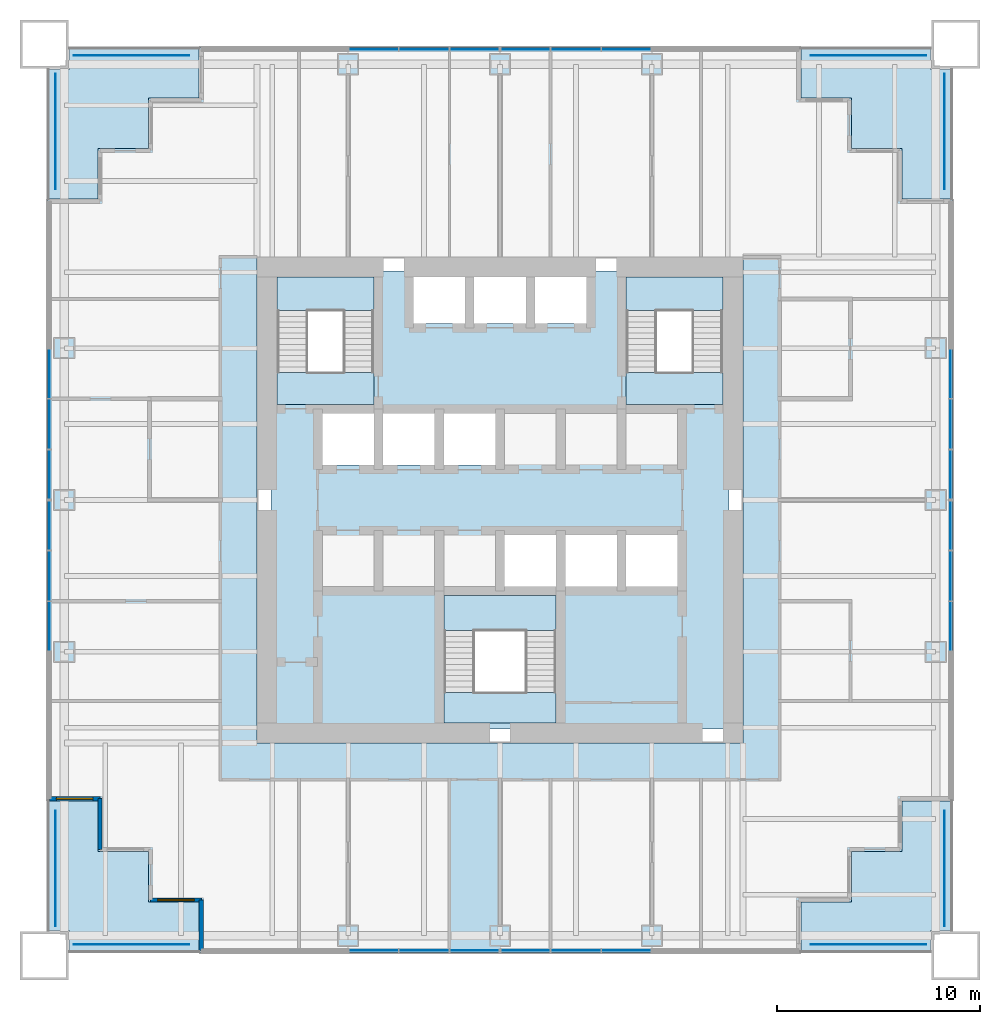
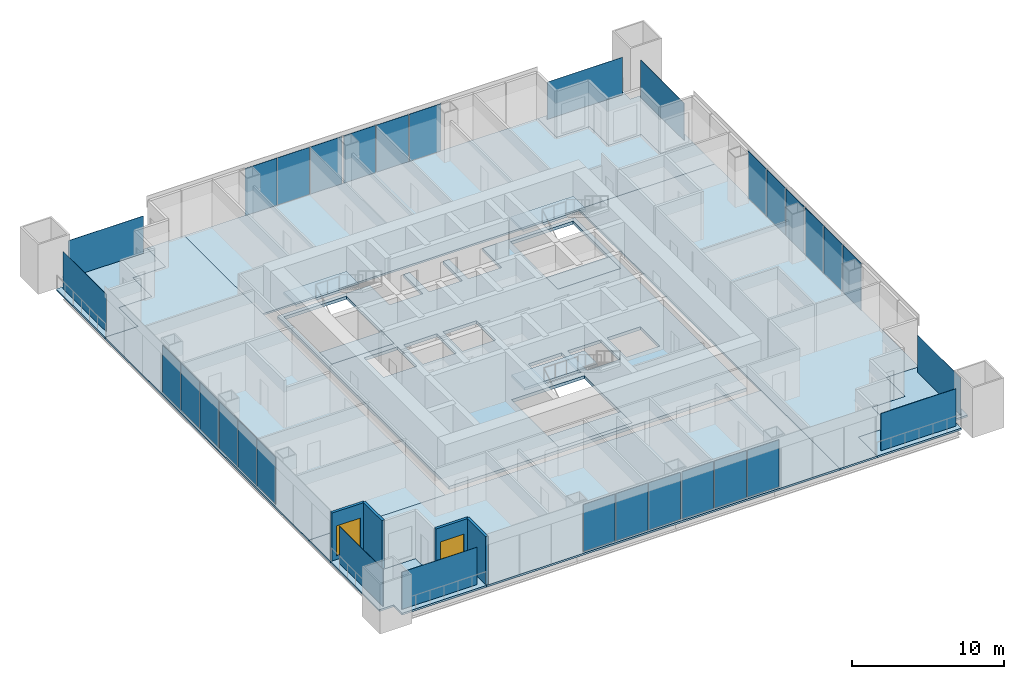
# One storey, part 7 of 13: 32 plates, 15 slabs, 4 walls, 2 windows, 2 openings, 11 elements without a shape of their own.
"""IFC4 building model written with IfcOpenShell, lengths in metres."""

import ifcopenshell
import ifcopenshell.guid

model = None  # the IFC model being written
_history = None  # IfcOwnerHistory: only IFC2X3 demands one
_inside = {}  # id of a spatial element -> (the spatial element, [elements in it])
_under = {}  # id of a project, library or spatial element -> (it, [spatial elements below it])
_declared = {}  # id of a project -> (the project, [libraries it declares])
_typed = {}  # id of a type object -> (the type object, [elements of that type])
_made_of = {}  # id of a material, layer set ... -> (it, [elements and type objects made of it])


def new_model(schema):
    """Start an empty IFC model of exactly this schema.

    Asked for "IFC4X3", IfcOpenShell would pick the latest addendum, in which some entities
    have other attributes; the version numbers below select the first issue.
    IFC2X3 requires an IfcOwnerHistory on every rooted entity: one is made here for all.
    """
    global model, _history
    if schema == "IFC4X3":
        model = ifcopenshell.file(schema_version=(4, 3, 0, 0))
    else:
        model = ifcopenshell.file(schema=schema)
    _inside.clear()
    _under.clear()
    _declared.clear()
    _typed.clear()
    _made_of.clear()
    _history = None
    if model.schema == "IFC2X3":
        org = make("IfcOrganization", Name="unknown")
        user = make(
            "IfcPersonAndOrganization",
            ThePerson=make("IfcPerson", FamilyName="unknown"),
            TheOrganization=org,
        )
        app = make(
            "IfcApplication",
            ApplicationDeveloper=org,
            Version="unknown",
            ApplicationFullName="unknown",
            ApplicationIdentifier="unknown",
        )
        _history = make(
            "IfcOwnerHistory",
            OwningUser=user,
            OwningApplication=app,
            ChangeAction="ADDED",
            CreationDate=0,
        )
    return model


def make(cls, **values):
    """One entity of the class cls with the attributes given. An attribute that is None is left unset."""
    return model.create_entity(
        cls, **{name: value for name, value in values.items() if value is not None}
    )


def rooted(cls, **values):
    """An entity with a GlobalId (a new one), such as an element, a storey or a relation."""
    return make(cls, GlobalId=ifcopenshell.guid.new(), OwnerHistory=_history, **values)


def si_unit(unit_type, name, prefix=None):
    """IfcSIUnit, for example si_unit("LENGTHUNIT", "METRE", prefix="MILLI")."""
    return make("IfcSIUnit", UnitType=unit_type, Prefix=prefix, Name=name)


def assignment(units):
    """IfcUnitAssignment: the units of a project."""
    return None if units is None else make("IfcUnitAssignment", Units=units)


def point(xyz):
    """IfcCartesianPoint."""
    return None if xyz is None else make("IfcCartesianPoint", Coordinates=xyz)


def direction(xyz):
    """IfcDirection."""
    return None if xyz is None else make("IfcDirection", DirectionRatios=xyz)


def frame(location, z_axis=None, x_axis=None):
    """IfcAxis2Placement3D, a coordinate frame: its origin and axes. An axis left out is left unset."""
    return make(
        "IfcAxis2Placement3D",
        Location=point(location),
        Axis=direction(z_axis),
        RefDirection=direction(x_axis),
    )


def frame_2d(location, x_axis=None):
    """IfcAxis2Placement2D, a coordinate frame in the plane: its origin and x axis."""
    return make(
        "IfcAxis2Placement2D", Location=point(location), RefDirection=direction(x_axis)
    )


def origin():
    """The frame at (0, 0, 0) with its axes left unset."""
    return frame((0.0, 0.0, 0.0))


def origin_2d():
    """The frame at (0, 0) in the plane with its x axis left unset."""
    return frame_2d((0.0, 0.0))


def place(relative_to, where):
    """IfcLocalPlacement: puts the frame where relative to a parent placement (None: the world)."""
    return make(
        "IfcLocalPlacement", PlacementRelTo=relative_to, RelativePlacement=where
    )


def context(
    kind, dimensions, precision=None, world=None, true_north=None, identifier=None
):
    """IfcGeometricRepresentationContext, for example the 3D "Model" context."""
    return make(
        "IfcGeometricRepresentationContext",
        ContextIdentifier=identifier,
        ContextType=kind,
        CoordinateSpaceDimension=dimensions,
        Precision=precision,
        WorldCoordinateSystem=world,
        TrueNorth=true_north,
    )


def subcontext(parent, identifier, kind, view, scale=None):
    """IfcGeometricRepresentationSubContext, for example "Body" below "Model"."""
    return make(
        "IfcGeometricRepresentationSubContext",
        ContextIdentifier=identifier,
        ContextType=kind,
        ParentContext=parent,
        TargetScale=scale,
        TargetView=view,
    )


def project(units=None, contexts=None):
    """IfcProject with its units and contexts."""
    return rooted(
        "IfcProject",
        Name="project",
        RepresentationContexts=contexts,
        UnitsInContext=assignment(units),
    )


def spatial(cls, under=None, at=None, **own):
    """A site, building, storey or space (cls), placed at a placement, below another one or the project."""
    s = rooted(cls, ObjectPlacement=at, **own)
    if under is not None:
        _under.setdefault(under.id(), (under, []))[1].append(s)
    return s


def polyline(points):
    """IfcPolyline through the points."""
    return make("IfcPolyline", Points=[point(p) for p in points])


def profile(cls, at=None, kind="AREA", **sizes):
    """A parametric profile (cls). Its sizes go by their IFC names, for example OverallWidth=200.0."""
    return make(cls, ProfileType=kind, Position=at, **sizes)


def rectangle(**sizes):
    """IfcRectangleProfileDef."""
    return profile("IfcRectangleProfileDef", **sizes)


def outline(outer, holes=None, kind="AREA"):
    """IfcArbitraryClosedProfileDef: a profile drawn as a closed curve; with holes, ...WithVoids."""
    if holes is None:
        return make("IfcArbitraryClosedProfileDef", ProfileType=kind, OuterCurve=outer)
    return make(
        "IfcArbitraryProfileDefWithVoids",
        ProfileType=kind,
        OuterCurve=outer,
        InnerCurves=holes,
    )


def extrude(swept, where, along, depth):
    """IfcExtrudedAreaSolid: the profile swept, set in the frame where, extruded along a direction by depth."""
    return make(
        "IfcExtrudedAreaSolid",
        SweptArea=swept,
        Position=where,
        ExtrudedDirection=direction(along),
        Depth=depth,
    )


def shape(context_of_items, identifier, shape_type, items):
    """IfcShapeRepresentation: the items that make up one representation, for example the "Body"."""
    return make(
        "IfcShapeRepresentation",
        ContextOfItems=context_of_items,
        RepresentationIdentifier=identifier,
        RepresentationType=shape_type,
        Items=items,
    )


def material(Name=None, Category=None):
    """IfcMaterial."""
    return make("IfcMaterial", Name=Name, Category=Category)


def layer(
    of_material, thickness, ventilated=None, Name=None, Category=None, Priority=None
):
    """IfcMaterialLayer: one layer of a wall or slab, of a material (None: an air gap)."""
    return make(
        "IfcMaterialLayer",
        Material=of_material,
        LayerThickness=thickness,
        IsVentilated=ventilated,
        Name=Name,
        Category=Category,
        Priority=Priority,
    )


def layer_set(layers, Name=None):
    """IfcMaterialLayerSet."""
    return make("IfcMaterialLayerSet", MaterialLayers=layers, LayerSetName=Name)


def made_of(thing, what):
    """Note that an element or type object is made of a material, layer set ...; save() writes the relation."""
    if what is not None:
        _made_of.setdefault(what.id(), (what, []))[1].append(thing)
    return thing


def type_object(cls, material=None, **own):
    """A type object (cls), such as IfcWallType, which elements share."""
    return made_of(rooted(cls, **own), material)


def element(
    cls,
    number,
    at=None,
    inside=None,
    cuts=None,
    type_object=None,
    material=None,
    context=None,
    identifier="Body",
    shape_type=None,
    held_by="IfcProductDefinitionShape",
    body=None,
    shapes=None,
    **own,
):
    """One element of the class cls, such as IfcWall. Its Tag is "e" and its number.

    at: its placement. inside: the storey or other place that contains it. cuts: it is an
    opening in that element (IfcRelVoidsElement). A single representation is given by context,
    identifier, shape_type and body (its items); several are given by shapes. held_by: the class
    of the entity that holds the representations. save() writes the other relations.
    """
    e = rooted(cls, Tag="e%d" % number, ObjectPlacement=at, **own)
    if body is not None:
        shapes = [shape(context, identifier, shape_type, body)]
    if shapes is not None:
        e.Representation = make(held_by, Representations=shapes)
    if inside is not None:
        _inside.setdefault(inside.id(), (inside, []))[1].append(e)
    if cuts is not None:
        rooted(
            "IfcRelVoidsElement", RelatingBuildingElement=cuts, RelatedOpeningElement=e
        )
    if type_object is not None:
        _typed.setdefault(type_object.id(), (type_object, []))[1].append(e)
    return made_of(e, material)


def fill(opening, filler):
    """IfcRelFillsElement: the door or window that sits in an opening."""
    return rooted(
        "IfcRelFillsElement",
        RelatingOpeningElement=opening,
        RelatedBuildingElement=filler,
    )


def aggregate(whole, parts):
    """IfcRelAggregates: a whole, such as a stair, and the parts it consists of."""
    return rooted("IfcRelAggregates", RelatingObject=whole, RelatedObjects=parts)


def save(model, path):
    """Write the relations noted so far, then the file.

    IfcRelAggregates (storeys below a building ...), IfcRelContainedInSpatialStructure (elements
    in a storey), IfcRelDefinesByType, IfcRelAssociatesMaterial and IfcRelDeclares: one each for
    every whole, place, type object, material and project.
    """
    for whole, parts in _under.values():
        aggregate(whole, parts)
    for where, things in _inside.values():
        rooted(
            "IfcRelContainedInSpatialStructure",
            RelatedElements=things,
            RelatingStructure=where,
        )
    for kind, things in _typed.values():
        rooted("IfcRelDefinesByType", RelatedObjects=things, RelatingType=kind)
    for what, things in _made_of.values():
        rooted("IfcRelAssociatesMaterial", RelatedObjects=things, RelatingMaterial=what)
    for by, libraries in _declared.values():
        rooted("IfcRelDeclares", RelatingContext=by, RelatedDefinitions=libraries)
    model.write(path)


model = new_model("IFC4")

# Units and contexts
model_context = context("Model", 3, precision=1e-05, world=origin(), true_north=direction((0.0, 1.0)))
body_context = subcontext(model_context, "Body", "Model", "MODEL_VIEW")
ifc_project = project(units=[si_unit("LENGTHUNIT", "METRE"), si_unit("AREAUNIT", "SQUARE_METRE"), si_unit("VOLUMEUNIT", "CUBIC_METRE"), si_unit("PLANEANGLEUNIT", "RADIAN"), si_unit("MASSUNIT", "GRAM", prefix="KILO")], contexts=[model_context])

# Site, building, storey
site_placement = place(None, origin())
site = spatial("IfcSite", under=ifc_project, at=site_placement, CompositionType="ELEMENT")
building_placement = place(site_placement, origin())
building = spatial("IfcBuilding", under=site, at=building_placement, Name="Tarangal Relay Tower", CompositionType="ELEMENT")
storey_placement = place(building_placement, frame((0.0, 0.0, 185.89990234375)))
storey = spatial("IfcBuildingStorey", under=building, at=storey_placement, Name="L38", CompositionType="ELEMENT", Elevation=185.89990234375)

# Slabs
ifc_material_1 = material(Name="Concrete fc' 35 MPa", Category="concrete")
ifc_layer_1 = layer(ifc_material_1, 0.25)
ifc_layer_set_1 = layer_set([ifc_layer_1], Name="Core floor slab 250")
slab_type_1 = type_object("IfcSlabType", Name="Core floor slab 250", PredefinedType="FLOOR", material=ifc_layer_set_1)
slab_1_placement = place(storey_placement, frame((0.0, 0.0, -0.25)))
element("IfcSlab", 1, at=slab_1_placement, inside=storey, type_object=slab_type_1, Name="Core floor slab L38", PredefinedType="FLOOR", context=body_context, shape_type="SweptSolid", body=[
    extrude(outline(polyline([(11.300048828125, 11.300048828125), (11.300048828125, -11.300048828125), (-11.300048828125, -11.300048828125), (-11.300048828125, 11.300048828125), (-4.27490234375, 11.300048828125), (-4.27490234375, 8.72509765625), (-1.72509765625, 8.72509765625), (-1.72509765625, 11.300048828125), (-1.27490234375, 11.300048828125), (-1.27490234375, 8.72509765625), (1.27490234375, 8.72509765625), (1.27490234375, 11.300048828125), (1.72509765625, 11.300048828125), (1.72509765625, 8.72509765625), (4.27490234375, 8.72509765625), (4.27490234375, 11.300048828125), (11.300048828125, 11.300048828125)]), holes=[polyline([(-6.22509765625, 4.27490234375), (-8.77490234375, 4.27490234375), (-8.77490234375, 1.72509765625), (-6.22509765625, 1.72509765625), (-6.22509765625, 4.27490234375)]), polyline([(-3.22509765625, 1.72509765625), (-3.22509765625, 4.27490234375), (-5.77490234375, 4.27490234375), (-5.77490234375, 1.72509765625), (-3.22509765625, 1.72509765625)]), polyline([(-0.22509765625, 1.72509765625), (-0.22509765625, 4.27490234375), (-2.77490234375, 4.27490234375), (-2.77490234375, 1.72509765625), (-0.22509765625, 1.72509765625)]), polyline([(-6.22509765625, 11.0), (-11.0, 11.0), (-11.0, 4.72509765625), (-6.22509765625, 4.72509765625), (-6.22509765625, 11.0)]), polyline([(2.77490234375, -4.72509765625), (-2.77490234375, -4.72509765625), (-2.77490234375, -11.0), (2.77490234375, -11.0), (2.77490234375, -4.72509765625)]), polyline([(2.77490234375, -4.27490234375), (2.77490234375, -1.72509765625), (0.22509765625, -1.72509765625), (0.22509765625, -4.27490234375), (2.77490234375, -4.27490234375)]), polyline([(5.77490234375, -4.27490234375), (5.77490234375, -1.72509765625), (3.22509765625, -1.72509765625), (3.22509765625, -4.27490234375), (5.77490234375, -4.27490234375)]), polyline([(8.77490234375, -1.72509765625), (6.22509765625, -1.72509765625), (6.22509765625, -4.27490234375), (8.77490234375, -4.27490234375), (8.77490234375, -1.72509765625)]), polyline([(11.0, 4.72509765625), (11.0, 11.0), (6.22509765625, 11.0), (6.22509765625, 4.72509765625), (11.0, 4.72509765625)])]), origin(), (0.0, 0.0, 1.0), 0.25),
])
ifc_layer_2 = layer(ifc_material_1, 0.14990234375)
ifc_layer_set_2 = layer_set([ifc_layer_2], Name="Floor slab 150")
slab_type_2 = type_object("IfcSlabType", Name="Floor slab 150", PredefinedType="FLOOR", material=ifc_layer_set_2)
slab_2_placement = place(storey_placement, frame((0.0, 0.0, -0.14990234375)))
element("IfcSlab", 2, at=slab_2_placement, inside=storey, type_object=slab_type_2, Name="Floor slab FS3 L38 north bay", PredefinedType="FLOOR", context=body_context, shape_type="SweptSolid", body=[
    extrude(outline(polyline([(14.85009765625, 22.35009765625), (14.85009765625, 19.85009765625), (17.35009765625, 19.85009765625), (17.35009765625, 17.35009765625), (19.85009765625, 17.35009765625), (19.85009765625, 14.85009765625), (22.35009765625, 14.85009765625), (22.35009765625, 12.0), (-12.0, 12.0), (-12.0, 22.35009765625), (14.85009765625, 22.35009765625)])), origin(), (0.0, 0.0, 1.0), 0.14990234375),
])
slab_3_placement = place(storey_placement, frame((0.0, 0.0, -0.14990234375)))
element("IfcSlab", 3, at=slab_3_placement, inside=storey, type_object=slab_type_2, Name="Floor slab FS3 L38 east bay", PredefinedType="FLOOR", context=body_context, shape_type="SweptSolid", body=[
    extrude(outline(polyline([(22.35009765625, -14.85009765625), (19.85009765625, -14.85009765625), (19.85009765625, -17.35009765625), (17.35009765625, -17.35009765625), (17.35009765625, -19.85009765625), (14.85009765625, -19.85009765625), (14.85009765625, -22.35009765625), (12.0, -22.35009765625), (12.0, 12.0), (22.35009765625, 12.0), (22.35009765625, -14.85009765625)])), origin(), (0.0, 0.0, 1.0), 0.14990234375),
])
slab_4_placement = place(storey_placement, frame((0.0, 0.0, -0.14990234375)))
element("IfcSlab", 4, at=slab_4_placement, inside=storey, type_object=slab_type_2, Name="Floor slab FS3 L38 south bay", PredefinedType="FLOOR", context=body_context, shape_type="SweptSolid", body=[
    extrude(outline(polyline([(-14.85009765625, -22.35009765625), (-14.85009765625, -19.85009765625), (-17.35009765625, -19.85009765625), (-17.35009765625, -17.35009765625), (-19.85009765625, -17.35009765625), (-19.85009765625, -14.85009765625), (-22.35009765625, -14.85009765625), (-22.35009765625, -12.0), (12.0, -12.0), (12.0, -22.35009765625), (-14.85009765625, -22.35009765625)])), origin(), (0.0, 0.0, 1.0), 0.14990234375),
])
slab_5_placement = place(storey_placement, frame((0.0, 0.0, -0.14990234375)))
element("IfcSlab", 5, at=slab_5_placement, inside=storey, type_object=slab_type_2, Name="Floor slab FS3 L38 west bay", PredefinedType="FLOOR", context=body_context, shape_type="SweptSolid", body=[
    extrude(outline(polyline([(-12.0, 22.35009765625), (-12.0, -12.0), (-22.35009765625, -12.0), (-22.35009765625, 14.85009765625), (-19.85009765625, 14.85009765625), (-19.85009765625, 17.35009765625), (-17.35009765625, 17.35009765625), (-17.35009765625, 19.85009765625), (-14.85009765625, 19.85009765625), (-14.85009765625, 22.35009765625), (-12.0, 22.35009765625)])), origin(), (0.0, 0.0, 1.0), 0.14990234375),
])

# Curtain wall, plates
ifc_material_2 = material(Name="Unitised curtain wall, dark glass and black aluminium", Category="aluminium")
curtain_wall_type = type_object("IfcCurtainWallType", Name="Curtain wall CW-A", PredefinedType="USERDEFINED", material=ifc_material_2)
curtain_wall_1_placement = place(storey_placement, origin())
curtain_wall_1 = element("IfcCurtainWall", 6, at=curtain_wall_1_placement, inside=storey, type_object=curtain_wall_type, Name="Curtain wall CW-A N facade L38", ObjectType="UNITISED CURTAIN WALL", PredefinedType="USERDEFINED")
ifc_material_3 = material(Name="Dark tinted insulated glass unit", Category="glass")
ifc_layer_3 = layer(ifc_material_3, 0.031982421875)
ifc_layer_set_3 = layer_set([ifc_layer_3], Name="Glazed panel CW-A 32")
plate_type_1 = type_object("IfcPlateType", Name="Glazed panel CW-A 32", PredefinedType="CURTAIN_PANEL", material=ifc_layer_set_3)
plate_1_placement = place(storey_placement, frame((-6.233642578125, 22.25, 0.06494140625), z_axis=(0.0, 0.0, 1.0), x_axis=(1.0, 0.0, 0.0)))
plate_1 = element("IfcPlate", 7, at=plate_1_placement, type_object=plate_type_1, Name="CW-A panel 1.1", PredefinedType="CURTAIN_PANEL", context=body_context, shape_type="SweptSolid", body=[
    extrude(rectangle(XDim=2.402587890625, YDim=0.031982421875, at=origin_2d()), origin(), (0.0, 0.0, 1.0), 3.784912109375),
])
plate_2_placement = place(storey_placement, frame((-3.75, 22.25, 0.06494140625), z_axis=(0.0, 0.0, 1.0), x_axis=(1.0, 0.0, 0.0)))
plate_2 = element("IfcPlate", 8, at=plate_2_placement, type_object=plate_type_1, Name="CW-A panel 2.1", PredefinedType="CURTAIN_PANEL", context=body_context, shape_type="SweptSolid", body=[
    extrude(rectangle(XDim=2.43505859375, YDim=0.031982421875, at=origin_2d()), origin(), (0.0, 0.0, 1.0), 3.784912109375),
])
plate_3_placement = place(storey_placement, frame((-1.266357421875, 22.25, 0.06494140625), z_axis=(0.0, 0.0, 1.0), x_axis=(1.0, 0.0, 0.0)))
plate_3 = element("IfcPlate", 9, at=plate_3_placement, type_object=plate_type_1, Name="CW-A panel 3.1", PredefinedType="CURTAIN_PANEL", context=body_context, shape_type="SweptSolid", body=[
    extrude(rectangle(XDim=2.402587890625, YDim=0.031982421875, at=origin_2d()), origin(), (0.0, 0.0, 1.0), 3.784912109375),
])
aggregate(curtain_wall_1, [plate_1, plate_2, plate_3])

curtain_wall_2_placement = place(storey_placement, origin())
curtain_wall_2 = element("IfcCurtainWall", 10, at=curtain_wall_2_placement, inside=storey, type_object=curtain_wall_type, Name="Curtain wall CW-A N facade L38", ObjectType="UNITISED CURTAIN WALL", PredefinedType="USERDEFINED")
plate_4_placement = place(storey_placement, frame((1.266357421875, 22.25, 0.06494140625), z_axis=(0.0, 0.0, 1.0), x_axis=(1.0, 0.0, 0.0)))
plate_4 = element("IfcPlate", 11, at=plate_4_placement, type_object=plate_type_1, Name="CW-A panel 1.1", PredefinedType="CURTAIN_PANEL", context=body_context, shape_type="SweptSolid", body=[
    extrude(rectangle(XDim=2.402587890625, YDim=0.031982421875, at=origin_2d()), origin(), (0.0, 0.0, 1.0), 3.784912109375),
])
plate_5_placement = place(storey_placement, frame((3.75, 22.25, 0.06494140625), z_axis=(0.0, 0.0, 1.0), x_axis=(1.0, 0.0, 0.0)))
plate_5 = element("IfcPlate", 12, at=plate_5_placement, type_object=plate_type_1, Name="CW-A panel 2.1", PredefinedType="CURTAIN_PANEL", context=body_context, shape_type="SweptSolid", body=[
    extrude(rectangle(XDim=2.43505859375, YDim=0.031982421875, at=origin_2d()), origin(), (0.0, 0.0, 1.0), 3.784912109375),
])
plate_6_placement = place(storey_placement, frame((6.233642578125, 22.25, 0.06494140625), z_axis=(0.0, 0.0, 1.0), x_axis=(1.0, 0.0, 0.0)))
plate_6 = element("IfcPlate", 13, at=plate_6_placement, type_object=plate_type_1, Name="CW-A panel 3.1", PredefinedType="CURTAIN_PANEL", context=body_context, shape_type="SweptSolid", body=[
    extrude(rectangle(XDim=2.402587890625, YDim=0.031982421875, at=origin_2d()), origin(), (0.0, 0.0, 1.0), 3.784912109375),
])
aggregate(curtain_wall_2, [plate_4, plate_5, plate_6])

curtain_wall_3_placement = place(storey_placement, origin())
curtain_wall_3 = element("IfcCurtainWall", 14, at=curtain_wall_3_placement, inside=storey, type_object=curtain_wall_type, Name="Curtain wall CW-A E facade L38", ObjectType="UNITISED CURTAIN WALL", PredefinedType="USERDEFINED")
plate_7_placement = place(storey_placement, frame((22.25, 6.233642578125, 0.06494140625), z_axis=(0.0, 0.0, 1.0), x_axis=(0.0, -1.0, 0.0)))
plate_7 = element("IfcPlate", 15, at=plate_7_placement, type_object=plate_type_1, Name="CW-A panel 1.1", PredefinedType="CURTAIN_PANEL", context=body_context, shape_type="SweptSolid", body=[
    extrude(rectangle(XDim=2.402587890625, YDim=0.031982421875, at=origin_2d()), origin(), (0.0, 0.0, 1.0), 3.784912109375),
])
plate_8_placement = place(storey_placement, frame((22.25, 3.75, 0.06494140625), z_axis=(0.0, 0.0, 1.0), x_axis=(0.0, -1.0, 0.0)))
plate_8 = element("IfcPlate", 16, at=plate_8_placement, type_object=plate_type_1, Name="CW-A panel 2.1", PredefinedType="CURTAIN_PANEL", context=body_context, shape_type="SweptSolid", body=[
    extrude(rectangle(XDim=2.43505859375, YDim=0.031982421875, at=origin_2d()), origin(), (0.0, 0.0, 1.0), 3.784912109375),
])
plate_9_placement = place(storey_placement, frame((22.25, 1.266357421875, 0.06494140625), z_axis=(0.0, 0.0, 1.0), x_axis=(0.0, -1.0, 0.0)))
plate_9 = element("IfcPlate", 17, at=plate_9_placement, type_object=plate_type_1, Name="CW-A panel 3.1", PredefinedType="CURTAIN_PANEL", context=body_context, shape_type="SweptSolid", body=[
    extrude(rectangle(XDim=2.402587890625, YDim=0.031982421875, at=origin_2d()), origin(), (0.0, 0.0, 1.0), 3.784912109375),
])
aggregate(curtain_wall_3, [plate_7, plate_8, plate_9])

curtain_wall_4_placement = place(storey_placement, origin())
curtain_wall_4 = element("IfcCurtainWall", 18, at=curtain_wall_4_placement, inside=storey, type_object=curtain_wall_type, Name="Curtain wall CW-A E facade L38", ObjectType="UNITISED CURTAIN WALL", PredefinedType="USERDEFINED")
plate_10_placement = place(storey_placement, frame((22.25, -1.266357421875, 0.06494140625), z_axis=(0.0, 0.0, 1.0), x_axis=(0.0, -1.0, 0.0)))
plate_10 = element("IfcPlate", 19, at=plate_10_placement, type_object=plate_type_1, Name="CW-A panel 1.1", PredefinedType="CURTAIN_PANEL", context=body_context, shape_type="SweptSolid", body=[
    extrude(rectangle(XDim=2.402587890625, YDim=0.031982421875, at=origin_2d()), origin(), (0.0, 0.0, 1.0), 3.784912109375),
])
plate_11_placement = place(storey_placement, frame((22.25, -3.75, 0.06494140625), z_axis=(0.0, 0.0, 1.0), x_axis=(0.0, -1.0, 0.0)))
plate_11 = element("IfcPlate", 20, at=plate_11_placement, type_object=plate_type_1, Name="CW-A panel 2.1", PredefinedType="CURTAIN_PANEL", context=body_context, shape_type="SweptSolid", body=[
    extrude(rectangle(XDim=2.43505859375, YDim=0.031982421875, at=origin_2d()), origin(), (0.0, 0.0, 1.0), 3.784912109375),
])
plate_12_placement = place(storey_placement, frame((22.25, -6.233642578125, 0.06494140625), z_axis=(0.0, 0.0, 1.0), x_axis=(0.0, -1.0, 0.0)))
plate_12 = element("IfcPlate", 21, at=plate_12_placement, type_object=plate_type_1, Name="CW-A panel 3.1", PredefinedType="CURTAIN_PANEL", context=body_context, shape_type="SweptSolid", body=[
    extrude(rectangle(XDim=2.402587890625, YDim=0.031982421875, at=origin_2d()), origin(), (0.0, 0.0, 1.0), 3.784912109375),
])
aggregate(curtain_wall_4, [plate_10, plate_11, plate_12])

curtain_wall_5_placement = place(storey_placement, origin())
curtain_wall_5 = element("IfcCurtainWall", 22, at=curtain_wall_5_placement, inside=storey, type_object=curtain_wall_type, Name="Curtain wall CW-A S facade L38", ObjectType="UNITISED CURTAIN WALL", PredefinedType="USERDEFINED")
plate_13_placement = place(storey_placement, frame((6.233642578125, -22.25, 0.06494140625), z_axis=(0.0, 0.0, 1.0), x_axis=(-1.0, 0.0, 0.0)))
plate_13 = element("IfcPlate", 23, at=plate_13_placement, type_object=plate_type_1, Name="CW-A panel 1.1", PredefinedType="CURTAIN_PANEL", context=body_context, shape_type="SweptSolid", body=[
    extrude(rectangle(XDim=2.402587890625, YDim=0.031982421875, at=origin_2d()), origin(), (0.0, 0.0, 1.0), 3.784912109375),
])
plate_14_placement = place(storey_placement, frame((3.75, -22.25, 0.06494140625), z_axis=(0.0, 0.0, 1.0), x_axis=(-1.0, 0.0, 0.0)))
plate_14 = element("IfcPlate", 24, at=plate_14_placement, type_object=plate_type_1, Name="CW-A panel 2.1", PredefinedType="CURTAIN_PANEL", context=body_context, shape_type="SweptSolid", body=[
    extrude(rectangle(XDim=2.43505859375, YDim=0.031982421875, at=origin_2d()), origin(), (0.0, 0.0, 1.0), 3.784912109375),
])
plate_15_placement = place(storey_placement, frame((1.266357421875, -22.25, 0.06494140625), z_axis=(0.0, 0.0, 1.0), x_axis=(-1.0, 0.0, 0.0)))
plate_15 = element("IfcPlate", 25, at=plate_15_placement, type_object=plate_type_1, Name="CW-A panel 3.1", PredefinedType="CURTAIN_PANEL", context=body_context, shape_type="SweptSolid", body=[
    extrude(rectangle(XDim=2.402587890625, YDim=0.031982421875, at=origin_2d()), origin(), (0.0, 0.0, 1.0), 3.784912109375),
])
aggregate(curtain_wall_5, [plate_13, plate_14, plate_15])

curtain_wall_6_placement = place(storey_placement, origin())
curtain_wall_6 = element("IfcCurtainWall", 26, at=curtain_wall_6_placement, inside=storey, type_object=curtain_wall_type, Name="Curtain wall CW-A S facade L38", ObjectType="UNITISED CURTAIN WALL", PredefinedType="USERDEFINED")
plate_16_placement = place(storey_placement, frame((-1.266357421875, -22.25, 0.06494140625), z_axis=(0.0, 0.0, 1.0), x_axis=(-1.0, 0.0, 0.0)))
plate_16 = element("IfcPlate", 27, at=plate_16_placement, type_object=plate_type_1, Name="CW-A panel 1.1", PredefinedType="CURTAIN_PANEL", context=body_context, shape_type="SweptSolid", body=[
    extrude(rectangle(XDim=2.402587890625, YDim=0.031982421875, at=origin_2d()), origin(), (0.0, 0.0, 1.0), 3.784912109375),
])
plate_17_placement = place(storey_placement, frame((-3.75, -22.25, 0.06494140625), z_axis=(0.0, 0.0, 1.0), x_axis=(-1.0, 0.0, 0.0)))
plate_17 = element("IfcPlate", 28, at=plate_17_placement, type_object=plate_type_1, Name="CW-A panel 2.1", PredefinedType="CURTAIN_PANEL", context=body_context, shape_type="SweptSolid", body=[
    extrude(rectangle(XDim=2.43505859375, YDim=0.031982421875, at=origin_2d()), origin(), (0.0, 0.0, 1.0), 3.784912109375),
])
plate_18_placement = place(storey_placement, frame((-6.233642578125, -22.25, 0.06494140625), z_axis=(0.0, 0.0, 1.0), x_axis=(-1.0, 0.0, 0.0)))
plate_18 = element("IfcPlate", 29, at=plate_18_placement, type_object=plate_type_1, Name="CW-A panel 3.1", PredefinedType="CURTAIN_PANEL", context=body_context, shape_type="SweptSolid", body=[
    extrude(rectangle(XDim=2.402587890625, YDim=0.031982421875, at=origin_2d()), origin(), (0.0, 0.0, 1.0), 3.784912109375),
])
aggregate(curtain_wall_6, [plate_16, plate_17, plate_18])

curtain_wall_7_placement = place(storey_placement, origin())
curtain_wall_7 = element("IfcCurtainWall", 30, at=curtain_wall_7_placement, inside=storey, type_object=curtain_wall_type, Name="Curtain wall CW-A W facade L38", ObjectType="UNITISED CURTAIN WALL", PredefinedType="USERDEFINED")
plate_19_placement = place(storey_placement, frame((-22.25, -6.233642578125, 0.06494140625), z_axis=(0.0, 0.0, 1.0), x_axis=(0.0, 1.0, 0.0)))
plate_19 = element("IfcPlate", 31, at=plate_19_placement, type_object=plate_type_1, Name="CW-A panel 1.1", PredefinedType="CURTAIN_PANEL", context=body_context, shape_type="SweptSolid", body=[
    extrude(rectangle(XDim=2.402587890625, YDim=0.031982421875, at=origin_2d()), origin(), (0.0, 0.0, 1.0), 3.784912109375),
])
plate_20_placement = place(storey_placement, frame((-22.25, -3.75, 0.06494140625), z_axis=(0.0, 0.0, 1.0), x_axis=(0.0, 1.0, 0.0)))
plate_20 = element("IfcPlate", 32, at=plate_20_placement, type_object=plate_type_1, Name="CW-A panel 2.1", PredefinedType="CURTAIN_PANEL", context=body_context, shape_type="SweptSolid", body=[
    extrude(rectangle(XDim=2.43505859375, YDim=0.031982421875, at=origin_2d()), origin(), (0.0, 0.0, 1.0), 3.784912109375),
])
plate_21_placement = place(storey_placement, frame((-22.25, -1.266357421875, 0.06494140625), z_axis=(0.0, 0.0, 1.0), x_axis=(0.0, 1.0, 0.0)))
plate_21 = element("IfcPlate", 33, at=plate_21_placement, type_object=plate_type_1, Name="CW-A panel 3.1", PredefinedType="CURTAIN_PANEL", context=body_context, shape_type="SweptSolid", body=[
    extrude(rectangle(XDim=2.402587890625, YDim=0.031982421875, at=origin_2d()), origin(), (0.0, 0.0, 1.0), 3.784912109375),
])
aggregate(curtain_wall_7, [plate_19, plate_20, plate_21])

curtain_wall_8_placement = place(storey_placement, origin())
curtain_wall_8 = element("IfcCurtainWall", 34, at=curtain_wall_8_placement, inside=storey, type_object=curtain_wall_type, Name="Curtain wall CW-A W facade L38", ObjectType="UNITISED CURTAIN WALL", PredefinedType="USERDEFINED")
plate_22_placement = place(storey_placement, frame((-22.25, 1.266357421875, 0.06494140625), z_axis=(0.0, 0.0, 1.0), x_axis=(0.0, 1.0, 0.0)))
plate_22 = element("IfcPlate", 35, at=plate_22_placement, type_object=plate_type_1, Name="CW-A panel 1.1", PredefinedType="CURTAIN_PANEL", context=body_context, shape_type="SweptSolid", body=[
    extrude(rectangle(XDim=2.402587890625, YDim=0.031982421875, at=origin_2d()), origin(), (0.0, 0.0, 1.0), 3.784912109375),
])
plate_23_placement = place(storey_placement, frame((-22.25, 3.75, 0.06494140625), z_axis=(0.0, 0.0, 1.0), x_axis=(0.0, 1.0, 0.0)))
plate_23 = element("IfcPlate", 36, at=plate_23_placement, type_object=plate_type_1, Name="CW-A panel 2.1", PredefinedType="CURTAIN_PANEL", context=body_context, shape_type="SweptSolid", body=[
    extrude(rectangle(XDim=2.43505859375, YDim=0.031982421875, at=origin_2d()), origin(), (0.0, 0.0, 1.0), 3.784912109375),
])
plate_24_placement = place(storey_placement, frame((-22.25, 6.233642578125, 0.06494140625), z_axis=(0.0, 0.0, 1.0), x_axis=(0.0, 1.0, 0.0)))
plate_24 = element("IfcPlate", 37, at=plate_24_placement, type_object=plate_type_1, Name="CW-A panel 3.1", PredefinedType="CURTAIN_PANEL", context=body_context, shape_type="SweptSolid", body=[
    extrude(rectangle(XDim=2.402587890625, YDim=0.031982421875, at=origin_2d()), origin(), (0.0, 0.0, 1.0), 3.784912109375),
])
aggregate(curtain_wall_8, [plate_22, plate_23, plate_24])

# Plates
ifc_material_4 = material(Name="Black stainless steel cable trellis with climbing planting", Category="steel")
ifc_layer_4 = layer(ifc_material_4, 0.030029296875)
ifc_layer_set_4 = layer_set([ifc_layer_4], Name="Planted trellis screen")
plate_type_2 = type_object("IfcPlateType", Name="Planted trellis screen", PredefinedType="SHEET", material=ifc_layer_set_4)
for number, where, z_axis, x_axis, name in (
    (38, (21.949951171875, 18.199951171875, 0.0), (0.0, 0.0, 1.0), (0.0, -1.0, 0.0), "Planted trellis SC2 NE L38"),
    (39, (18.199951171875, -21.949951171875, 0.0), (0.0, 0.0, 1.0), (-1.0, 0.0, 0.0), "Planted trellis SC2 SE L38"),
    (40, (-21.949951171875, -18.199951171875, 0.0), (0.0, 0.0, 1.0), (0.0, 1.0, 0.0), "Planted trellis SC2 SW L38"),
    (41, (-18.199951171875, 21.949951171875, 0.0), (0.0, 0.0, 1.0), (1.0, 0.0, 0.0), "Planted trellis SC2 NW L38"),
):
    element("IfcPlate", number, at=place(storey_placement, frame(where, z_axis=z_axis, x_axis=x_axis)), inside=storey, type_object=plate_type_2, Name=name, PredefinedType="SHEET", context=body_context, shape_type="SweptSolid", body=[
        extrude(rectangle(XDim=5.699951171875, YDim=0.030029296875, at=origin_2d()), origin(), (0.0, 0.0, 1.0), 3.0),
    ])

# Stair, slabs
ifc_material_5 = material(Name="Steel ASTM A992 stair flight", Category="steel")
stair_type = type_object("IfcStairType", Name="Core stair 1500", PredefinedType="HALF_TURN_STAIR", material=ifc_material_5)
stair_1_placement = place(storey_placement, origin())
stair_1 = element("IfcStair", 42, at=stair_1_placement, inside=storey, type_object=stair_type, Name="Stair ST-A L38", PredefinedType="HALF_TURN_STAIR")
ifc_layer_5 = layer(ifc_material_1, 0.199951171875)
ifc_layer_set_5 = layer_set([ifc_layer_5], Name="Stair landing 200")
slab_type_3 = type_object("IfcSlabType", Name="Stair landing 200", PredefinedType="LANDING", material=ifc_layer_set_5)
slab_6_placement = place(storey_placement, frame((0.0, 0.0, -0.199951171875)))
slab_6 = element("IfcSlab", 43, at=slab_6_placement, type_object=slab_type_3, Name="ST-A landing 1", PredefinedType="LANDING", context=body_context, shape_type="SweptSolid", body=[
    extrude(outline(polyline([(-11.0, 4.72509765625), (-6.22509765625, 4.72509765625), (-6.22509765625, 6.300048828125), (-11.0, 6.300048828125), (-11.0, 4.72509765625)])), origin(), (0.0, 0.0, 1.0), 0.199951171875),
])
slab_7_placement = place(storey_placement, frame((0.0, 0.0, 1.800048828125)))
slab_7 = element("IfcSlab", 44, at=slab_7_placement, type_object=slab_type_3, Name="ST-A landing 2", PredefinedType="LANDING", context=body_context, shape_type="SweptSolid", body=[
    extrude(outline(polyline([(-11.0, 9.346923828125), (-6.22509765625, 9.346923828125), (-6.22509765625, 11.0), (-11.0, 11.0), (-11.0, 9.346923828125)])), origin(), (0.0, 0.0, 1.0), 0.199951171875),
])
aggregate(stair_1, [slab_6, slab_7])

stair_2_placement = place(storey_placement, origin())
stair_2 = element("IfcStair", 45, at=stair_2_placement, inside=storey, type_object=stair_type, Name="Stair ST-B L38", PredefinedType="HALF_TURN_STAIR")
slab_8_placement = place(storey_placement, frame((0.0, 0.0, -0.199951171875)))
slab_8 = element("IfcSlab", 46, at=slab_8_placement, type_object=slab_type_3, Name="ST-B landing 1", PredefinedType="LANDING", context=body_context, shape_type="SweptSolid", body=[
    extrude(outline(polyline([(6.22509765625, 4.72509765625), (11.0, 4.72509765625), (11.0, 6.300048828125), (6.22509765625, 6.300048828125), (6.22509765625, 4.72509765625)])), origin(), (0.0, 0.0, 1.0), 0.199951171875),
])
slab_9_placement = place(storey_placement, frame((0.0, 0.0, 1.800048828125)))
slab_9 = element("IfcSlab", 47, at=slab_9_placement, type_object=slab_type_3, Name="ST-B landing 2", PredefinedType="LANDING", context=body_context, shape_type="SweptSolid", body=[
    extrude(outline(polyline([(6.22509765625, 9.346923828125), (11.0, 9.346923828125), (11.0, 11.0), (6.22509765625, 11.0), (6.22509765625, 9.346923828125)])), origin(), (0.0, 0.0, 1.0), 0.199951171875),
])
aggregate(stair_2, [slab_8, slab_9])

stair_3_placement = place(storey_placement, origin())
stair_3 = element("IfcStair", 48, at=stair_3_placement, inside=storey, type_object=stair_type, Name="Stair ST-C L38", PredefinedType="HALF_TURN_STAIR")
slab_10_placement = place(storey_placement, frame((0.0, 0.0, -0.199951171875)))
slab_10 = element("IfcSlab", 49, at=slab_10_placement, type_object=slab_type_3, Name="ST-C landing 1", PredefinedType="LANDING", context=body_context, shape_type="SweptSolid", body=[
    extrude(outline(polyline([(-2.77490234375, -11.0), (2.77490234375, -11.0), (2.77490234375, -9.5), (-2.77490234375, -9.5), (-2.77490234375, -11.0)])), origin(), (0.0, 0.0, 1.0), 0.199951171875),
])
slab_11_placement = place(storey_placement, frame((0.0, 0.0, 1.800048828125)))
slab_11 = element("IfcSlab", 50, at=slab_11_placement, type_object=slab_type_3, Name="ST-C landing 2", PredefinedType="LANDING", context=body_context, shape_type="SweptSolid", body=[
    extrude(outline(polyline([(-2.77490234375, -6.452880859375), (2.77490234375, -6.452880859375), (2.77490234375, -4.72509765625), (-2.77490234375, -4.72509765625), (-2.77490234375, -6.452880859375)])), origin(), (0.0, 0.0, 1.0), 0.199951171875),
])
aggregate(stair_3, [slab_10, slab_11])

# Plates
ifc_material_6 = material(Name="Perforated black aluminium screen", Category="aluminium")
ifc_layer_6 = layer(ifc_material_6, 0.02001953125)
ifc_layer_set_6 = layer_set([ifc_layer_6], Name="Terrace screen panel")
plate_type_3 = type_object("IfcPlateType", Name="Terrace screen panel", PredefinedType="SHEET", material=ifc_layer_set_6)
for number, where, z_axis, x_axis, name in (
    (51, (18.199951171875, 21.949951171875, 0.0), (0.0, 0.0, 1.0), (1.0, 0.0, 0.0), "Terrace screen SC1 NE L38"),
    (52, (21.949951171875, -18.199951171875, 0.0), (0.0, 0.0, 1.0), (0.0, -1.0, 0.0), "Terrace screen SC1 SE L38"),
    (53, (-18.199951171875, -21.949951171875, 0.0), (0.0, 0.0, 1.0), (-1.0, 0.0, 0.0), "Terrace screen SC1 SW L38"),
    (54, (-21.949951171875, 18.199951171875, 0.0), (0.0, 0.0, 1.0), (0.0, 1.0, 0.0), "Terrace screen SC1 NW L38"),
):
    element("IfcPlate", number, at=place(storey_placement, frame(where, z_axis=z_axis, x_axis=x_axis)), inside=storey, type_object=plate_type_3, Name=name, PredefinedType="SHEET", context=body_context, shape_type="SweptSolid", body=[
        extrude(rectangle(XDim=5.699951171875, YDim=0.02001953125, at=origin_2d()), origin(), (0.0, 0.0, 1.0), 3.0),
    ])

# Slabs
ifc_layer_7 = layer(ifc_material_1, 0.14990234375)
ifc_layer_set_7 = layer_set([ifc_layer_7], Name="Terrace slab 150")
slab_type_4 = type_object("IfcSlabType", Name="Terrace slab 150", PredefinedType="FLOOR", material=ifc_layer_set_7)
slab_12_placement = place(storey_placement, frame((0.0, 0.0, -0.14990234375)))
element("IfcSlab", 55, at=slab_12_placement, inside=storey, type_object=slab_type_4, Name="Corner terrace NE L38", PredefinedType="FLOOR", context=body_context, shape_type="SweptSolid", body=[
    extrude(outline(polyline([(14.85009765625, 22.35009765625), (14.85009765625, 19.85009765625), (17.35009765625, 19.85009765625), (17.35009765625, 17.35009765625), (19.85009765625, 17.35009765625), (19.85009765625, 14.85009765625), (22.35009765625, 14.85009765625), (22.35009765625, 21.25), (21.25, 21.25), (21.25, 22.35009765625), (14.85009765625, 22.35009765625)])), origin(), (0.0, 0.0, 1.0), 0.14990234375),
])
slab_13_placement = place(storey_placement, frame((0.0, 0.0, -0.14990234375)))
element("IfcSlab", 56, at=slab_13_placement, inside=storey, type_object=slab_type_4, Name="Corner terrace SE L38", PredefinedType="FLOOR", context=body_context, shape_type="SweptSolid", body=[
    extrude(outline(polyline([(22.35009765625, -14.85009765625), (19.85009765625, -14.85009765625), (19.85009765625, -17.35009765625), (17.35009765625, -17.35009765625), (17.35009765625, -19.85009765625), (14.85009765625, -19.85009765625), (14.85009765625, -22.35009765625), (21.25, -22.35009765625), (21.25, -21.25), (22.35009765625, -21.25), (22.35009765625, -14.85009765625)])), origin(), (0.0, 0.0, 1.0), 0.14990234375),
])
slab_14_placement = place(storey_placement, frame((0.0, 0.0, -0.14990234375)))
element("IfcSlab", 57, at=slab_14_placement, inside=storey, type_object=slab_type_4, Name="Corner terrace SW L38", PredefinedType="FLOOR", context=body_context, shape_type="SweptSolid", body=[
    extrude(outline(polyline([(-14.85009765625, -22.35009765625), (-14.85009765625, -19.85009765625), (-17.35009765625, -19.85009765625), (-17.35009765625, -17.35009765625), (-19.85009765625, -17.35009765625), (-19.85009765625, -14.85009765625), (-22.35009765625, -14.85009765625), (-22.35009765625, -21.25), (-21.25, -21.25), (-21.25, -22.35009765625), (-14.85009765625, -22.35009765625)])), origin(), (0.0, 0.0, 1.0), 0.14990234375),
])
slab_15_placement = place(storey_placement, frame((0.0, 0.0, -0.14990234375)))
element("IfcSlab", 58, at=slab_15_placement, inside=storey, type_object=slab_type_4, Name="Corner terrace NW L38", PredefinedType="FLOOR", context=body_context, shape_type="SweptSolid", body=[
    extrude(outline(polyline([(-22.35009765625, 14.85009765625), (-19.85009765625, 14.85009765625), (-19.85009765625, 17.35009765625), (-17.35009765625, 17.35009765625), (-17.35009765625, 19.85009765625), (-14.85009765625, 19.85009765625), (-14.85009765625, 22.35009765625), (-21.25, 22.35009765625), (-21.25, 21.25), (-22.35009765625, 21.25), (-22.35009765625, 14.85009765625)])), origin(), (0.0, 0.0, 1.0), 0.14990234375),
])

# Wall
ifc_material_7 = material(Name="Black metal clad insulated wall", Category="steel")
ifc_layer_8 = layer(ifc_material_7, 0.199951171875)
ifc_layer_set_8 = layer_set([ifc_layer_8], Name="Corner wall metal clad 200")
wall_type = type_object("IfcWallType", Name="Corner wall metal clad 200", PredefinedType="SOLIDWALL", material=ifc_layer_set_8)
wall_1_placement = place(storey_placement, frame((-14.75, -22.25, 0.0), z_axis=(0.0, 0.0, 1.0), x_axis=(0.0, 1.0, 0.0)))
element("IfcWall", 59, at=wall_1_placement, inside=storey, type_object=wall_type, Name="Facade wall S facade L38", PredefinedType="SOLIDWALL", context=body_context, shape_type="SweptSolid", body=[
    extrude(rectangle(XDim=2.5, YDim=0.199951171875, at=frame_2d((1.25, 0.0))), origin(), (0.0, 0.0, 1.0), 3.85009765625),
])

# Wall, opening, window
wall_2_placement = place(storey_placement, frame((-14.75, -19.75, 0.0), z_axis=(0.0, 0.0, 1.0), x_axis=(-1.0, 0.0, 0.0)))
wall_2 = element("IfcWall", 60, at=wall_2_placement, inside=storey, type_object=wall_type, Name="Facade wall S facade L38", PredefinedType="SOLIDWALL", context=body_context, shape_type="SweptSolid", body=[
    extrude(rectangle(XDim=2.5, YDim=0.199951171875, at=frame_2d((1.25, 0.0))), origin(), (0.0, 0.0, 1.0), 3.85009765625),
])
opening_1_placement = place(wall_2_placement, frame((0.35009765625, 0.0, 0.300048828125)))
opening_1 = element("IfcOpeningElement", 61, at=opening_1_placement, cuts=wall_2, Name="Opening WN2", PredefinedType="OPENING", context=body_context, shape_type="SweptSolid", body=[
    extrude(rectangle(XDim=1.800048828125, YDim=2.39990234375, at=frame_2d((0.89990234375, 1.199951171875))), frame((0.0, 0.10986328125, 0.0), z_axis=(0.0, -1.0, 0.0), x_axis=(1.0, 0.0, 0.0)), (0.0, 0.0, 1.0), 0.219970703125),
])
ifc_material_8 = material(Name="Dark tinted double glazing in black aluminium frame", Category="aluminium")
window_type = type_object("IfcWindowType", Name="Corner window 1800 x 2400", PartitioningType="SINGLE_PANEL", PredefinedType="WINDOW", material=ifc_material_8)
window_1_placement = place(opening_1_placement, origin())
window_1 = element("IfcWindow", 62, at=window_1_placement, inside=storey, type_object=window_type, Name="Corner window WN2 S facade L38", OverallHeight=2.39990234375, OverallWidth=1.800048828125, PartitioningType="SINGLE_PANEL", PredefinedType="WINDOW", context=body_context, shape_type="SweptSolid", body=[
    extrude(rectangle(XDim=1.800048828125, YDim=2.39990234375, at=frame_2d((0.89990234375, 1.199951171875))), frame((0.0, 0.030029296875, 0.0), z_axis=(0.0, -1.0, 0.0), x_axis=(1.0, 0.0, 0.0)), (0.0, 0.0, 1.0), 0.06005859375),
])
fill(opening_1, window_1)

# Wall
wall_3_placement = place(storey_placement, frame((-19.75, -17.25, 0.0), z_axis=(0.0, 0.0, 1.0), x_axis=(0.0, 1.0, 0.0)))
element("IfcWall", 63, at=wall_3_placement, inside=storey, type_object=wall_type, Name="Facade wall S facade L38", PredefinedType="SOLIDWALL", context=body_context, shape_type="SweptSolid", body=[
    extrude(rectangle(XDim=2.5, YDim=0.199951171875, at=frame_2d((1.25, 0.0))), origin(), (0.0, 0.0, 1.0), 3.85009765625),
])

# Wall, opening, window
wall_4_placement = place(storey_placement, frame((-19.75, -14.75, 0.0), z_axis=(0.0, 0.0, 1.0), x_axis=(-1.0, 0.0, 0.0)))
wall_4 = element("IfcWall", 64, at=wall_4_placement, inside=storey, type_object=wall_type, Name="Facade wall S facade L38", PredefinedType="SOLIDWALL", context=body_context, shape_type="SweptSolid", body=[
    extrude(rectangle(XDim=2.5, YDim=0.199951171875, at=frame_2d((1.25, 0.0))), origin(), (0.0, 0.0, 1.0), 3.85009765625),
])
opening_2_placement = place(wall_4_placement, frame((0.35009765625, 0.0, 0.300048828125)))
opening_2 = element("IfcOpeningElement", 65, at=opening_2_placement, cuts=wall_4, Name="Opening WN2", PredefinedType="OPENING", context=body_context, shape_type="SweptSolid", body=[
    extrude(rectangle(XDim=1.800048828125, YDim=2.39990234375, at=frame_2d((0.89990234375, 1.199951171875))), frame((0.0, 0.10986328125, 0.0), z_axis=(0.0, -1.0, 0.0), x_axis=(1.0, 0.0, 0.0)), (0.0, 0.0, 1.0), 0.219970703125),
])
window_2_placement = place(opening_2_placement, origin())
window_2 = element("IfcWindow", 66, at=window_2_placement, inside=storey, type_object=window_type, Name="Corner window WN2 S facade L38", OverallHeight=2.39990234375, OverallWidth=1.800048828125, PartitioningType="SINGLE_PANEL", PredefinedType="WINDOW", context=body_context, shape_type="SweptSolid", body=[
    extrude(rectangle(XDim=1.800048828125, YDim=2.39990234375, at=frame_2d((0.89990234375, 1.199951171875))), frame((0.0, 0.030029296875, 0.0), z_axis=(0.0, -1.0, 0.0), x_axis=(1.0, 0.0, 0.0)), (0.0, 0.0, 1.0), 0.06005859375),
])
fill(opening_2, window_2)

save(model, "model.ifc")
